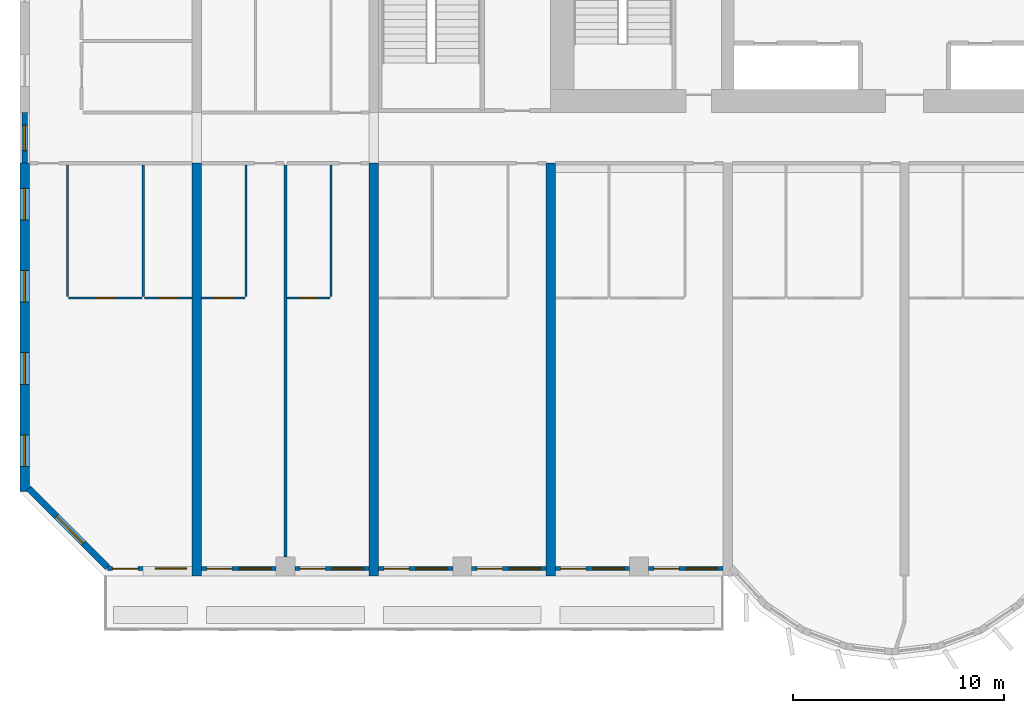
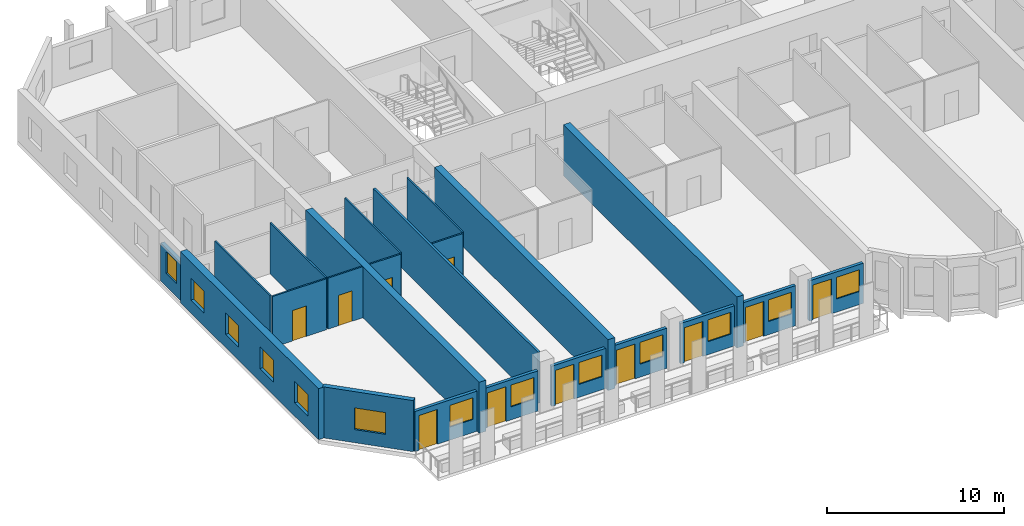
# One storey, part 2 of 15: 22 walls, 13 windows, 11 doors, 24 openings.
"""IFC4 building model written with IfcOpenShell, lengths in metres."""

from ifc_helpers import new_model, si_unit, direction, frame, frame_2d, origin, place, context, subcontext, project, spatial, rectangle, extrude, source, transform, mapped, material, layer, layer_set, type_object, element, fill, save


model = new_model("IFC4")

# Units and contexts
model_context = context("Model", 3, precision=1e-05, world=origin(), true_north=direction((0.0, 1.0)))
body_context = subcontext(model_context, "Body", "Model", "MODEL_VIEW")
ifc_project = project(units=[si_unit("LENGTHUNIT", "METRE"), si_unit("AREAUNIT", "SQUARE_METRE"), si_unit("VOLUMEUNIT", "CUBIC_METRE"), si_unit("PLANEANGLEUNIT", "RADIAN"), si_unit("MASSUNIT", "GRAM", prefix="KILO")], contexts=[model_context])

# Site, building, storey
site_placement = place(None, origin())
site = spatial("IfcSite", under=ifc_project, at=site_placement, CompositionType="ELEMENT")
building_placement = place(site_placement, origin())
building = spatial("IfcBuilding", under=site, at=building_placement, Name="Vanashikhar Sky Hotel", CompositionType="ELEMENT")
storey_placement = place(building_placement, frame((0.0, 0.0, 39.199951171875)))
storey = spatial("IfcBuildingStorey", under=building, at=storey_placement, Name="L08", CompositionType="ELEMENT", Elevation=39.199951171875)

# Wall, openings, windows
ifc_material_1 = material(Name="Concrete M80", Category="concrete")
ifc_layer_1 = layer(ifc_material_1, 0.449951171875)
ifc_layer_set_1 = layer_set([ifc_layer_1], Name="RC shear wall 450 Concrete M80")
wall_type_1 = type_object("IfcWallType", Name="RC shear wall 450 Concrete M80", PredefinedType="SHEAR", material=ifc_layer_set_1)
shared_shape_1 = source(origin(), body_context, "Body", "SweptSolid", [
    extrude(rectangle(XDim=15.60009765625, YDim=0.449951171875, at=frame_2d((7.800048828125, 0.0))), origin(), (0.0, 0.0, 1.0), 3.52001953125),
])
wall_1_placement = place(storey_placement, frame((0.22509765625, 4.0, 0.0), z_axis=(0.0, 0.0, 1.0), x_axis=(0.0, 1.0, 0.0)))
wall_1 = element("IfcWall", 1, at=wall_1_placement, inside=storey, type_object=wall_type_1, Name="CW-L08-XW01-1", PredefinedType="SHEAR", context=body_context, shape_type="MappedRepresentation", body=[
    mapped(shared_shape_1, transform((0.0, 0.0, 0.0), scale=1.0)),
])
shared_shape_2 = source(origin(), body_context, "Body", "SweptSolid", [
    extrude(rectangle(XDim=1.5, YDim=1.5, at=frame_2d((0.75, 0.75))), frame((0.0, 0.23486328125, 0.0), z_axis=(0.0, -1.0, 0.0), x_axis=(1.0, 0.0, 0.0)), (0.0, 0.0, 1.0), 0.469970703125),
])
opening_1_placement = place(wall_1_placement, frame((1.199951171875, 0.0, 0.89990234375)))
opening_1 = element("IfcOpeningElement", 2, at=opening_1_placement, cuts=wall_1, Name="Opening WN-1", PredefinedType="OPENING", context=body_context, shape_type="MappedRepresentation", body=[
    mapped(shared_shape_2, transform((0.0, 0.0, 0.0), scale=1.0)),
])
opening_2_placement = place(wall_1_placement, frame((5.10009765625, 0.0, 0.89990234375)))
opening_2 = element("IfcOpeningElement", 3, at=opening_2_placement, cuts=wall_1, Name="Opening WN-1", PredefinedType="OPENING", context=body_context, shape_type="MappedRepresentation", body=[
    mapped(shared_shape_2, transform((0.0, 0.0, 0.0), scale=1.0)),
])
opening_3_placement = place(wall_1_placement, frame((9.0, 0.0, 0.89990234375)))
opening_3 = element("IfcOpeningElement", 4, at=opening_3_placement, cuts=wall_1, Name="Opening WN-1", PredefinedType="OPENING", context=body_context, shape_type="MappedRepresentation", body=[
    mapped(shared_shape_2, transform((0.0, 0.0, 0.0), scale=1.0)),
])
opening_4_placement = place(wall_1_placement, frame((12.89990234375, 0.0, 0.89990234375)))
opening_4 = element("IfcOpeningElement", 5, at=opening_4_placement, cuts=wall_1, Name="Opening WN-1", PredefinedType="OPENING", context=body_context, shape_type="MappedRepresentation", body=[
    mapped(shared_shape_2, transform((0.0, 0.0, 0.0), scale=1.0)),
])
ifc_material_2 = material(Name="Glass", Category="glass")
window_type_1 = type_object("IfcWindowType", Name="Window 1500 x 1500", PartitioningType="SINGLE_PANEL", PredefinedType="WINDOW", material=ifc_material_2)
shared_shape_3 = source(origin(), body_context, "Body", "SweptSolid", [
    extrude(rectangle(XDim=1.5, YDim=1.5, at=frame_2d((0.75, 0.75))), frame((0.0, 0.030029296875, 0.0), z_axis=(0.0, -1.0, 0.0), x_axis=(1.0, 0.0, 0.0)), (0.0, 0.0, 1.0), 0.06005859375),
])
window_1_placement = place(opening_1_placement, origin())
window_1 = element("IfcWindow", 6, at=window_1_placement, inside=storey, type_object=window_type_1, Name="Window WN-1", OverallHeight=1.5, OverallWidth=1.5, PartitioningType="SINGLE_PANEL", PredefinedType="WINDOW", context=body_context, shape_type="MappedRepresentation", body=[
    mapped(shared_shape_3, transform((0.0, 0.0, 0.0), scale=1.0)),
])
fill(opening_1, window_1)
window_2_placement = place(opening_2_placement, origin())
window_2 = element("IfcWindow", 7, at=window_2_placement, inside=storey, type_object=window_type_1, Name="Window WN-1", OverallHeight=1.5, OverallWidth=1.5, PartitioningType="SINGLE_PANEL", PredefinedType="WINDOW", context=body_context, shape_type="MappedRepresentation", body=[
    mapped(shared_shape_3, transform((0.0, 0.0, 0.0), scale=1.0)),
])
fill(opening_2, window_2)
window_3_placement = place(opening_3_placement, origin())
window_3 = element("IfcWindow", 8, at=window_3_placement, inside=storey, type_object=window_type_1, Name="Window WN-1", OverallHeight=1.5, OverallWidth=1.5, PartitioningType="SINGLE_PANEL", PredefinedType="WINDOW", context=body_context, shape_type="MappedRepresentation", body=[
    mapped(shared_shape_3, transform((0.0, 0.0, 0.0), scale=1.0)),
])
fill(opening_3, window_3)
window_4_placement = place(opening_4_placement, origin())
window_4 = element("IfcWindow", 9, at=window_4_placement, inside=storey, type_object=window_type_1, Name="Window WN-1", OverallHeight=1.5, OverallWidth=1.5, PartitioningType="SINGLE_PANEL", PredefinedType="WINDOW", context=body_context, shape_type="MappedRepresentation", body=[
    mapped(shared_shape_3, transform((0.0, 0.0, 0.0), scale=1.0)),
])
fill(opening_4, window_4)

# Walls
shared_shape_4 = source(origin(), body_context, "Body", "SweptSolid", [
    extrude(rectangle(XDim=19.60009765625, YDim=0.449951171875, at=frame_2d((9.800048828125, 0.0))), origin(), (0.0, 0.0, 1.0), 3.52001953125),
])
for number, where, z_axis, x_axis, name in (
    (10, (8.39990234375, 0.0, 0.0), (0.0, 0.0, 1.0), (0.0, 1.0, 0.0), "CW-L08-XW02-1"),
    (11, (16.800048828125, 0.0, 0.0), (0.0, 0.0, 1.0), (0.0, 1.0, 0.0), "CW-L08-XW03-1"),
    (12, (25.199951171875, 0.0, 0.0), (0.0, 0.0, 1.0), (0.0, 1.0, 0.0), "CW-L08-XW04-1"),
):
    element("IfcWall", number, at=place(storey_placement, frame(where, z_axis=z_axis, x_axis=x_axis)), inside=storey, type_object=wall_type_1, Name=name, PredefinedType="SHEAR", context=body_context, shape_type="MappedRepresentation", body=[
        mapped(shared_shape_4, transform((0.0, 0.0, 0.0), scale=1.0)),
    ])

# Wall, openings, window, door
ifc_material_3 = material(Name="Concrete M50", Category="concrete")
ifc_layer_2 = layer(ifc_material_3, 0.199951171875)
ifc_layer_set_2 = layer_set([ifc_layer_2], Name="Front window wall 200")
wall_type_2 = type_object("IfcWallType", Name="Front window wall 200", PredefinedType="SOLIDWALL", material=ifc_layer_set_2)
shared_shape_5 = source(origin(), body_context, "Body", "SweptSolid", [
    extrude(rectangle(XDim=4.030029296875, YDim=0.199951171875, at=frame_2d((2.01513671875, 0.0))), origin(), (0.0, 0.0, 1.0), 2.77001953125),
])
wall_2_placement = place(storey_placement, frame((4.14501953125, 0.35009765625, 0.0), z_axis=(0.0, 0.0, 1.0), x_axis=(1.0, 0.0, 0.0)))
wall_2 = element("IfcWall", 13, at=wall_2_placement, inside=storey, type_object=wall_type_2, Name="Front window wall", PredefinedType="SOLIDWALL", context=body_context, shape_type="MappedRepresentation", body=[
    mapped(shared_shape_5, transform((0.0, 0.0, 0.0), scale=1.0)),
])
shared_shape_6 = source(origin(), body_context, "Body", "SweptSolid", [
    extrude(rectangle(XDim=1.199951171875, YDim=2.39990234375, at=frame_2d((0.60009765625, 1.199951171875))), frame((0.0, 0.10986328125, 0.0), z_axis=(0.0, -1.0, 0.0), x_axis=(1.0, 0.0, 0.0)), (0.0, 0.0, 1.0), 0.219970703125),
])
opening_5_placement = place(wall_2_placement, frame((0.25, 0.0, 0.0)))
opening_5 = element("IfcOpeningElement", 14, at=opening_5_placement, cuts=wall_2, Name="Opening BD-01", PredefinedType="OPENING", context=body_context, shape_type="MappedRepresentation", body=[
    mapped(shared_shape_6, transform((0.0, 0.0, 0.0), scale=1.0)),
])
shared_shape_7 = source(origin(), body_context, "Body", "SweptSolid", [
    extrude(rectangle(XDim=1.5, YDim=1.5, at=frame_2d((0.75, 0.75))), frame((0.0, 0.10986328125, 0.0), z_axis=(0.0, -1.0, 0.0), x_axis=(1.0, 0.0, 0.0)), (0.0, 0.0, 1.0), 0.219970703125),
])
opening_6_placement = place(wall_2_placement, frame((2.280029296875, 0.0, 0.89990234375)))
opening_6 = element("IfcOpeningElement", 15, at=opening_6_placement, cuts=wall_2, Name="Opening WN-1", PredefinedType="OPENING", context=body_context, shape_type="MappedRepresentation", body=[
    mapped(shared_shape_7, transform((0.0, 0.0, 0.0), scale=1.0)),
])
window_5_placement = place(opening_6_placement, origin())
window_5 = element("IfcWindow", 16, at=window_5_placement, inside=storey, type_object=window_type_1, Name="Window WN-1", OverallHeight=1.5, OverallWidth=1.5, PartitioningType="SINGLE_PANEL", PredefinedType="WINDOW", context=body_context, shape_type="MappedRepresentation", body=[
    mapped(shared_shape_3, transform((0.0, 0.0, 0.0), scale=1.0)),
])
fill(opening_6, window_5)
ifc_material_4 = material(Name="Aluminium", Category="aluminium")
door_type_1 = type_object("IfcDoorType", Name="Balcony sliding door 1200 x 2400", OperationType="NOTDEFINED", PredefinedType="DOOR", material=ifc_material_4)
shared_shape_8 = source(origin(), body_context, "Body", "SweptSolid", [
    extrude(rectangle(XDim=1.199951171875, YDim=2.39990234375, at=frame_2d((0.60009765625, 1.199951171875))), frame((0.0, 0.02490234375, 0.0), z_axis=(0.0, -1.0, 0.0), x_axis=(1.0, 0.0, 0.0)), (0.0, 0.0, 1.0), 0.050048828125),
])
door_1_placement = place(opening_5_placement, origin())
door_1 = element("IfcDoor", 17, at=door_1_placement, inside=storey, type_object=door_type_1, Name="Balcony sliding door", OperationType="SLIDING_TO_LEFT", OverallHeight=2.39990234375, OverallWidth=1.199951171875, PredefinedType="DOOR", context=body_context, shape_type="MappedRepresentation", body=[
    mapped(shared_shape_8, transform((0.0, 0.0, 0.0), scale=1.0)),
])
fill(opening_5, door_1)

shared_shape_9 = source(origin(), body_context, "Body", "SweptSolid", [
    extrude(rectangle(XDim=3.52490234375, YDim=0.199951171875, at=frame_2d((1.762451171875, 0.0))), origin(), (0.0, 0.0, 1.0), 2.77001953125),
])
wall_3_placement = place(storey_placement, frame((8.625, 0.35009765625, 0.0), z_axis=(0.0, 0.0, 1.0), x_axis=(1.0, 0.0, 0.0)))
wall_3 = element("IfcWall", 18, at=wall_3_placement, inside=storey, type_object=wall_type_2, Name="Front window wall", PredefinedType="SOLIDWALL", context=body_context, shape_type="MappedRepresentation", body=[
    mapped(shared_shape_9, transform((0.0, 0.0, 0.0), scale=1.0)),
])
opening_7_placement = place(wall_3_placement, frame((0.25, 0.0, 0.0)))
opening_7 = element("IfcOpeningElement", 19, at=opening_7_placement, cuts=wall_3, Name="Opening BD-02", PredefinedType="OPENING", context=body_context, shape_type="MappedRepresentation", body=[
    mapped(shared_shape_6, transform((0.0, 0.0, 0.0), scale=1.0)),
])
opening_8_placement = place(wall_3_placement, frame((1.77490234375, 0.0, 0.89990234375)))
opening_8 = element("IfcOpeningElement", 20, at=opening_8_placement, cuts=wall_3, Name="Opening WN-1", PredefinedType="OPENING", context=body_context, shape_type="MappedRepresentation", body=[
    mapped(shared_shape_7, transform((0.0, 0.0, 0.0), scale=1.0)),
])
window_6_placement = place(opening_8_placement, origin())
window_6 = element("IfcWindow", 21, at=window_6_placement, inside=storey, type_object=window_type_1, Name="Window WN-1", OverallHeight=1.5, OverallWidth=1.5, PartitioningType="SINGLE_PANEL", PredefinedType="WINDOW", context=body_context, shape_type="MappedRepresentation", body=[
    mapped(shared_shape_3, transform((0.0, 0.0, 0.0), scale=1.0)),
])
fill(opening_8, window_6)
door_2_placement = place(opening_7_placement, origin())
door_2 = element("IfcDoor", 22, at=door_2_placement, inside=storey, type_object=door_type_1, Name="Balcony sliding door", OperationType="SLIDING_TO_RIGHT", OverallHeight=2.39990234375, OverallWidth=1.199951171875, PredefinedType="DOOR", context=body_context, shape_type="MappedRepresentation", body=[
    mapped(shared_shape_8, transform((0.0, 0.0, 0.0), scale=1.0)),
])
fill(opening_7, door_2)

wall_4_placement = place(storey_placement, frame((13.050048828125, 0.35009765625, 0.0), z_axis=(0.0, 0.0, 1.0), x_axis=(1.0, 0.0, 0.0)))
wall_4 = element("IfcWall", 23, at=wall_4_placement, inside=storey, type_object=wall_type_2, Name="Front window wall", PredefinedType="SOLIDWALL", context=body_context, shape_type="MappedRepresentation", body=[
    mapped(shared_shape_9, transform((0.0, 0.0, 0.0), scale=1.0)),
])
opening_9_placement = place(wall_4_placement, frame((0.25, 0.0, 0.0)))
opening_9 = element("IfcOpeningElement", 24, at=opening_9_placement, cuts=wall_4, Name="Opening BD-03", PredefinedType="OPENING", context=body_context, shape_type="MappedRepresentation", body=[
    mapped(shared_shape_6, transform((0.0, 0.0, 0.0), scale=1.0)),
])
opening_10_placement = place(wall_4_placement, frame((1.77490234375, 0.0, 0.89990234375)))
opening_10 = element("IfcOpeningElement", 25, at=opening_10_placement, cuts=wall_4, Name="Opening WN-1", PredefinedType="OPENING", context=body_context, shape_type="MappedRepresentation", body=[
    mapped(shared_shape_7, transform((0.0, 0.0, 0.0), scale=1.0)),
])
window_7_placement = place(opening_10_placement, origin())
window_7 = element("IfcWindow", 26, at=window_7_placement, inside=storey, type_object=window_type_1, Name="Window WN-1", OverallHeight=1.5, OverallWidth=1.5, PartitioningType="SINGLE_PANEL", PredefinedType="WINDOW", context=body_context, shape_type="MappedRepresentation", body=[
    mapped(shared_shape_3, transform((0.0, 0.0, 0.0), scale=1.0)),
])
fill(opening_10, window_7)
door_3_placement = place(opening_9_placement, origin())
door_3 = element("IfcDoor", 27, at=door_3_placement, inside=storey, type_object=door_type_1, Name="Balcony sliding door", OperationType="SLIDING_TO_LEFT", OverallHeight=2.39990234375, OverallWidth=1.199951171875, PredefinedType="DOOR", context=body_context, shape_type="MappedRepresentation", body=[
    mapped(shared_shape_8, transform((0.0, 0.0, 0.0), scale=1.0)),
])
fill(opening_9, door_3)

wall_5_placement = place(storey_placement, frame((25.425048828125, 0.35009765625, 0.0), z_axis=(0.0, 0.0, 1.0), x_axis=(1.0, 0.0, 0.0)))
wall_5 = element("IfcWall", 28, at=wall_5_placement, inside=storey, type_object=wall_type_2, Name="Front window wall", PredefinedType="SOLIDWALL", context=body_context, shape_type="MappedRepresentation", body=[
    mapped(shared_shape_9, transform((0.0, 0.0, 0.0), scale=1.0)),
])
opening_11_placement = place(wall_5_placement, frame((0.25, 0.0, 0.0)))
opening_11 = element("IfcOpeningElement", 29, at=opening_11_placement, cuts=wall_5, Name="Opening BD-06", PredefinedType="OPENING", context=body_context, shape_type="MappedRepresentation", body=[
    mapped(shared_shape_6, transform((0.0, 0.0, 0.0), scale=1.0)),
])
opening_12_placement = place(wall_5_placement, frame((1.77490234375, 0.0, 0.89990234375)))
opening_12 = element("IfcOpeningElement", 30, at=opening_12_placement, cuts=wall_5, Name="Opening WN-1", PredefinedType="OPENING", context=body_context, shape_type="MappedRepresentation", body=[
    mapped(shared_shape_7, transform((0.0, 0.0, 0.0), scale=1.0)),
])
window_8_placement = place(opening_12_placement, origin())
window_8 = element("IfcWindow", 31, at=window_8_placement, inside=storey, type_object=window_type_1, Name="Window WN-1", OverallHeight=1.5, OverallWidth=1.5, PartitioningType="SINGLE_PANEL", PredefinedType="WINDOW", context=body_context, shape_type="MappedRepresentation", body=[
    mapped(shared_shape_3, transform((0.0, 0.0, 0.0), scale=1.0)),
])
fill(opening_12, window_8)
door_4_placement = place(opening_11_placement, origin())
door_4 = element("IfcDoor", 32, at=door_4_placement, inside=storey, type_object=door_type_1, Name="Balcony sliding door", OperationType="SLIDING_TO_RIGHT", OverallHeight=2.39990234375, OverallWidth=1.199951171875, PredefinedType="DOOR", context=body_context, shape_type="MappedRepresentation", body=[
    mapped(shared_shape_8, transform((0.0, 0.0, 0.0), scale=1.0)),
])
fill(opening_11, door_4)

wall_6_placement = place(storey_placement, frame((29.85009765625, 0.35009765625, 0.0), z_axis=(0.0, 0.0, 1.0), x_axis=(1.0, 0.0, 0.0)))
wall_6 = element("IfcWall", 33, at=wall_6_placement, inside=storey, type_object=wall_type_2, Name="Front window wall", PredefinedType="SOLIDWALL", context=body_context, shape_type="MappedRepresentation", body=[
    mapped(shared_shape_9, transform((0.0, 0.0, 0.0), scale=1.0)),
])
opening_13_placement = place(wall_6_placement, frame((0.25, 0.0, 0.0)))
opening_13 = element("IfcOpeningElement", 34, at=opening_13_placement, cuts=wall_6, Name="Opening BD-07", PredefinedType="OPENING", context=body_context, shape_type="MappedRepresentation", body=[
    mapped(shared_shape_6, transform((0.0, 0.0, 0.0), scale=1.0)),
])
opening_14_placement = place(wall_6_placement, frame((1.77490234375, 0.0, 0.89990234375)))
opening_14 = element("IfcOpeningElement", 35, at=opening_14_placement, cuts=wall_6, Name="Opening WN-1", PredefinedType="OPENING", context=body_context, shape_type="MappedRepresentation", body=[
    mapped(shared_shape_7, transform((0.0, 0.0, 0.0), scale=1.0)),
])
window_9_placement = place(opening_14_placement, origin())
window_9 = element("IfcWindow", 36, at=window_9_placement, inside=storey, type_object=window_type_1, Name="Window WN-1", OverallHeight=1.5, OverallWidth=1.5, PartitioningType="SINGLE_PANEL", PredefinedType="WINDOW", context=body_context, shape_type="MappedRepresentation", body=[
    mapped(shared_shape_3, transform((0.0, 0.0, 0.0), scale=1.0)),
])
fill(opening_14, window_9)
door_5_placement = place(opening_13_placement, origin())
door_5 = element("IfcDoor", 37, at=door_5_placement, inside=storey, type_object=door_type_1, Name="Balcony sliding door", OperationType="SLIDING_TO_LEFT", OverallHeight=2.39990234375, OverallWidth=1.199951171875, PredefinedType="DOOR", context=body_context, shape_type="MappedRepresentation", body=[
    mapped(shared_shape_8, transform((0.0, 0.0, 0.0), scale=1.0)),
])
fill(opening_13, door_5)

shared_shape_10 = source(origin(), body_context, "Body", "SweptSolid", [
    extrude(rectangle(XDim=3.525146484375, YDim=0.199951171875, at=frame_2d((1.7626953125, 0.0))), origin(), (0.0, 0.0, 1.0), 2.77001953125),
])
wall_7_placement = place(storey_placement, frame((17.02490234375, 0.35009765625, 0.0), z_axis=(0.0, 0.0, 1.0), x_axis=(1.0, 0.0, 0.0)))
wall_7 = element("IfcWall", 38, at=wall_7_placement, inside=storey, type_object=wall_type_2, Name="Front window wall", PredefinedType="SOLIDWALL", context=body_context, shape_type="MappedRepresentation", body=[
    mapped(shared_shape_10, transform((0.0, 0.0, 0.0), scale=1.0)),
])
opening_15_placement = place(wall_7_placement, frame((0.25, 0.0, 0.0)))
opening_15 = element("IfcOpeningElement", 39, at=opening_15_placement, cuts=wall_7, Name="Opening BD-04", PredefinedType="OPENING", context=body_context, shape_type="MappedRepresentation", body=[
    mapped(shared_shape_6, transform((0.0, 0.0, 0.0), scale=1.0)),
])
opening_16_placement = place(wall_7_placement, frame((1.77490234375, 0.0, 0.89990234375)))
opening_16 = element("IfcOpeningElement", 40, at=opening_16_placement, cuts=wall_7, Name="Opening WN-1", PredefinedType="OPENING", context=body_context, shape_type="MappedRepresentation", body=[
    mapped(shared_shape_7, transform((0.0, 0.0, 0.0), scale=1.0)),
])
window_10_placement = place(opening_16_placement, origin())
window_10 = element("IfcWindow", 41, at=window_10_placement, inside=storey, type_object=window_type_1, Name="Window WN-1", OverallHeight=1.5, OverallWidth=1.5, PartitioningType="SINGLE_PANEL", PredefinedType="WINDOW", context=body_context, shape_type="MappedRepresentation", body=[
    mapped(shared_shape_3, transform((0.0, 0.0, 0.0), scale=1.0)),
])
fill(opening_16, window_10)
door_6_placement = place(opening_15_placement, origin())
door_6 = element("IfcDoor", 42, at=door_6_placement, inside=storey, type_object=door_type_1, Name="Balcony sliding door", OperationType="SLIDING_TO_RIGHT", OverallHeight=2.39990234375, OverallWidth=1.199951171875, PredefinedType="DOOR", context=body_context, shape_type="MappedRepresentation", body=[
    mapped(shared_shape_8, transform((0.0, 0.0, 0.0), scale=1.0)),
])
fill(opening_15, door_6)

wall_8_placement = place(storey_placement, frame((21.449951171875, 0.35009765625, 0.0), z_axis=(0.0, 0.0, 1.0), x_axis=(1.0, 0.0, 0.0)))
wall_8 = element("IfcWall", 43, at=wall_8_placement, inside=storey, type_object=wall_type_2, Name="Front window wall", PredefinedType="SOLIDWALL", context=body_context, shape_type="MappedRepresentation", body=[
    mapped(shared_shape_10, transform((0.0, 0.0, 0.0), scale=1.0)),
])
opening_17_placement = place(wall_8_placement, frame((0.25, 0.0, 0.0)))
opening_17 = element("IfcOpeningElement", 44, at=opening_17_placement, cuts=wall_8, Name="Opening BD-05", PredefinedType="OPENING", context=body_context, shape_type="MappedRepresentation", body=[
    mapped(shared_shape_6, transform((0.0, 0.0, 0.0), scale=1.0)),
])
opening_18_placement = place(wall_8_placement, frame((1.77490234375, 0.0, 0.89990234375)))
opening_18 = element("IfcOpeningElement", 45, at=opening_18_placement, cuts=wall_8, Name="Opening WN-1", PredefinedType="OPENING", context=body_context, shape_type="MappedRepresentation", body=[
    mapped(shared_shape_7, transform((0.0, 0.0, 0.0), scale=1.0)),
])
window_11_placement = place(opening_18_placement, origin())
window_11 = element("IfcWindow", 46, at=window_11_placement, inside=storey, type_object=window_type_1, Name="Window WN-1", OverallHeight=1.5, OverallWidth=1.5, PartitioningType="SINGLE_PANEL", PredefinedType="WINDOW", context=body_context, shape_type="MappedRepresentation", body=[
    mapped(shared_shape_3, transform((0.0, 0.0, 0.0), scale=1.0)),
])
fill(opening_18, window_11)
door_7_placement = place(opening_17_placement, origin())
door_7 = element("IfcDoor", 47, at=door_7_placement, inside=storey, type_object=door_type_1, Name="Balcony sliding door", OperationType="SLIDING_TO_LEFT", OverallHeight=2.39990234375, OverallWidth=1.199951171875, PredefinedType="DOOR", context=body_context, shape_type="MappedRepresentation", body=[
    mapped(shared_shape_8, transform((0.0, 0.0, 0.0), scale=1.0)),
])
fill(opening_17, door_7)

# Wall, opening, window
ifc_layer_3 = layer(ifc_material_3, 0.300048828125)
ifc_layer_set_3 = layer_set([ifc_layer_3], Name="Lobe wall 300")
wall_type_3 = type_object("IfcWallType", Name="Lobe wall 300", PredefinedType="SOLIDWALL", material=ifc_layer_set_3)
shared_shape_11 = source(origin(), body_context, "Body", "SweptSolid", [
    extrude(rectangle(XDim=5.32568359375, YDim=0.300048828125, at=frame_2d((2.662841796875, 0.0))), origin(), (0.0, 0.0, 1.0), 3.52001953125),
])
wall_9_placement = place(storey_placement, frame((0.39990234375, 4.165771484375, 0.0), z_axis=(0.0, 0.0, 1.0), x_axis=(0.707106781187, -0.707106781187, 0.0)))
wall_9 = element("IfcWall", 48, at=wall_9_placement, inside=storey, type_object=wall_type_3, Name="Corner wall", PredefinedType="SOLIDWALL", context=body_context, shape_type="MappedRepresentation", body=[
    mapped(shared_shape_11, transform((0.0, 0.0, 0.0), scale=1.0)),
])
shared_shape_12 = source(origin(), body_context, "Body", "SweptSolid", [
    extrude(rectangle(XDim=1.800048828125, YDim=1.5, at=frame_2d((0.89990234375, 0.75))), frame((0.0, 0.16015625, 0.0), z_axis=(0.0, -1.0, 0.0), x_axis=(1.0, 0.0, 0.0)), (0.0, 0.0, 1.0), 0.320068359375),
])
opening_19_placement = place(wall_9_placement, frame((1.888916015625, 0.0, 0.89990234375)))
opening_19 = element("IfcOpeningElement", 49, at=opening_19_placement, cuts=wall_9, Name="Opening WN-4", PredefinedType="OPENING", context=body_context, shape_type="MappedRepresentation", body=[
    mapped(shared_shape_12, transform((0.0, 0.0, 0.0), scale=1.0)),
])
window_type_2 = type_object("IfcWindowType", Name="Corner window 1800 x 1500", PartitioningType="SINGLE_PANEL", PredefinedType="WINDOW", material=ifc_material_2)
shared_shape_13 = source(origin(), body_context, "Body", "SweptSolid", [
    extrude(rectangle(XDim=1.800048828125, YDim=1.5, at=frame_2d((0.89990234375, 0.75))), frame((0.0, 0.030029296875, 0.0), z_axis=(0.0, -1.0, 0.0), x_axis=(1.0, 0.0, 0.0)), (0.0, 0.0, 1.0), 0.06005859375),
])
window_12_placement = place(opening_19_placement, origin())
window_12 = element("IfcWindow", 50, at=window_12_placement, inside=storey, type_object=window_type_2, Name="Window WN-4", OverallHeight=1.5, OverallWidth=1.800048828125, PartitioningType="SINGLE_PANEL", PredefinedType="WINDOW", context=body_context, shape_type="MappedRepresentation", body=[
    mapped(shared_shape_13, transform((0.0, 0.0, 0.0), scale=1.0)),
])
fill(opening_19, window_12)

ifc_layer_4 = layer(ifc_material_3, 0.25)
ifc_layer_set_4 = layer_set([ifc_layer_4], Name="Rear and end board-marked wall 250")
wall_type_4 = type_object("IfcWallType", Name="Rear and end board-marked wall 250", PredefinedType="SOLIDWALL", material=ifc_layer_set_4)
shared_shape_14 = source(origin(), body_context, "Body", "SweptSolid", [
    extrude(rectangle(XDim=2.39990234375, YDim=0.25, at=frame_2d((1.199951171875, 0.0))), origin(), (0.0, 0.0, 1.0), 2.6201171875),
])
wall_10_placement = place(storey_placement, frame((0.22509765625, 19.60009765625, 0.0), z_axis=(0.0, 0.0, 1.0), x_axis=(0.0, 1.0, 0.0)))
wall_10 = element("IfcWall", 51, at=wall_10_placement, inside=storey, type_object=wall_type_4, Name="End corridor infill wall", PredefinedType="SOLIDWALL", context=body_context, shape_type="MappedRepresentation", body=[
    mapped(shared_shape_14, transform((0.0, 0.0, 0.0), scale=1.0)),
])
shared_shape_15 = source(origin(), body_context, "Body", "SweptSolid", [
    extrude(rectangle(XDim=1.199951171875, YDim=1.5, at=frame_2d((0.60009765625, 0.75))), frame((0.0, 0.135009765625, 0.0), z_axis=(0.0, -1.0, 0.0), x_axis=(1.0, 0.0, 0.0)), (0.0, 0.0, 1.0), 0.27001953125),
])
opening_20_placement = place(wall_10_placement, frame((0.60009765625, 0.0, 0.89990234375)))
opening_20 = element("IfcOpeningElement", 52, at=opening_20_placement, cuts=wall_10, Name="Opening WN-3", PredefinedType="OPENING", context=body_context, shape_type="MappedRepresentation", body=[
    mapped(shared_shape_15, transform((0.0, 0.0, 0.0), scale=1.0)),
])
window_type_3 = type_object("IfcWindowType", Name="Corridor end window 1200 x 1500", PartitioningType="SINGLE_PANEL", PredefinedType="WINDOW", material=ifc_material_2)
shared_shape_16 = source(origin(), body_context, "Body", "SweptSolid", [
    extrude(rectangle(XDim=1.199951171875, YDim=1.5, at=frame_2d((0.60009765625, 0.75))), frame((0.0, 0.030029296875, 0.0), z_axis=(0.0, -1.0, 0.0), x_axis=(1.0, 0.0, 0.0)), (0.0, 0.0, 1.0), 0.06005859375),
])
window_13_placement = place(opening_20_placement, origin())
window_13 = element("IfcWindow", 53, at=window_13_placement, inside=storey, type_object=window_type_3, Name="Window WN-3", OverallHeight=1.5, OverallWidth=1.199951171875, PartitioningType="SINGLE_PANEL", PredefinedType="WINDOW", context=body_context, shape_type="MappedRepresentation", body=[
    mapped(shared_shape_16, transform((0.0, 0.0, 0.0), scale=1.0)),
])
fill(opening_20, window_13)

# Wall, opening, door
ifc_material_5 = material(Name="Gypsum plasterboard partition")
ifc_layer_5 = layer(ifc_material_5, 0.10009765625)
ifc_layer_set_5 = layer_set([ifc_layer_5], Name="Wet room partition 100")
wall_type_5 = type_object("IfcWallType", Name="Wet room partition 100", PredefinedType="PARTITIONING", material=ifc_layer_set_5)
shared_shape_17 = source(origin(), body_context, "Body", "SweptSolid", [
    extrude(rectangle(XDim=2.050048828125, YDim=0.10009765625, at=frame_2d((1.02490234375, 0.0))), origin(), (0.0, 0.0, 1.0), 3.52001953125),
])
wall_11_placement = place(storey_placement, frame((8.625, 13.199951171875, 0.0), z_axis=(0.0, 0.0, 1.0), x_axis=(1.0, 0.0, 0.0)))
wall_11 = element("IfcWall", 54, at=wall_11_placement, inside=storey, type_object=wall_type_5, Name="W-L08-PW007", PredefinedType="PARTITIONING", context=body_context, shape_type="MappedRepresentation", body=[
    mapped(shared_shape_17, transform((0.0, 0.0, 0.0), scale=1.0)),
])
shared_shape_18 = source(origin(), body_context, "Body", "SweptSolid", [
    extrude(rectangle(XDim=0.89990234375, YDim=2.10009765625, at=frame_2d((0.449951171875, 1.050048828125))), frame((0.0, 0.06005859375, 0.0), z_axis=(0.0, -1.0, 0.0), x_axis=(1.0, 0.0, 0.0)), (0.0, 0.0, 1.0), 0.1201171875),
])
opening_21_placement = place(wall_11_placement, frame((0.574951171875, 0.0, 0.0)))
opening_21 = element("IfcOpeningElement", 55, at=opening_21_placement, cuts=wall_11, Name="Opening D-02", PredefinedType="OPENING", context=body_context, shape_type="MappedRepresentation", body=[
    mapped(shared_shape_18, transform((0.0, 0.0, 0.0), scale=1.0)),
])
ifc_material_6 = material(Name="Timber door", Category="wood")
door_type_2 = type_object("IfcDoorType", Name="Internal door 900", OperationType="NOTDEFINED", PredefinedType="DOOR", material=ifc_material_6)
shared_shape_19 = source(origin(), body_context, "Body", "SweptSolid", [
    extrude(rectangle(XDim=0.89990234375, YDim=2.10009765625, at=frame_2d((0.449951171875, 1.050048828125))), frame((0.0, 0.02490234375, 0.0), z_axis=(0.0, -1.0, 0.0), x_axis=(1.0, 0.0, 0.0)), (0.0, 0.0, 1.0), 0.050048828125),
])
door_8_placement = place(opening_21_placement, origin())
door_8 = element("IfcDoor", 56, at=door_8_placement, inside=storey, type_object=door_type_2, Name="D-L08-004", OperationType="SINGLE_SWING_RIGHT", OverallHeight=2.10009765625, OverallWidth=0.89990234375, PredefinedType="DOOR", context=body_context, shape_type="MappedRepresentation", body=[
    mapped(shared_shape_19, transform((0.0, 0.0, 0.0), scale=1.0)),
])
fill(opening_21, door_8)

wall_12_placement = place(storey_placement, frame((12.675048828125, 13.199951171875, 0.0), z_axis=(0.0, 0.0, 1.0), x_axis=(1.0, 0.0, 0.0)))
wall_12 = element("IfcWall", 57, at=wall_12_placement, inside=storey, type_object=wall_type_5, Name="W-L08-PW010", PredefinedType="PARTITIONING", context=body_context, shape_type="MappedRepresentation", body=[
    mapped(shared_shape_17, transform((0.0, 0.0, 0.0), scale=1.0)),
])
opening_22_placement = place(wall_12_placement, frame((0.574951171875, 0.0, 0.0)))
opening_22 = element("IfcOpeningElement", 58, at=opening_22_placement, cuts=wall_12, Name="Opening D-02", PredefinedType="OPENING", context=body_context, shape_type="MappedRepresentation", body=[
    mapped(shared_shape_18, transform((0.0, 0.0, 0.0), scale=1.0)),
])
door_9_placement = place(opening_22_placement, origin())
door_9 = element("IfcDoor", 59, at=door_9_placement, inside=storey, type_object=door_type_2, Name="D-L08-006", OperationType="SINGLE_SWING_RIGHT", OverallHeight=2.10009765625, OverallWidth=0.89990234375, PredefinedType="DOOR", context=body_context, shape_type="MappedRepresentation", body=[
    mapped(shared_shape_19, transform((0.0, 0.0, 0.0), scale=1.0)),
])
fill(opening_22, door_9)

# Wall
ifc_layer_6 = layer(ifc_material_5, 0.14990234375)
ifc_layer_set_6 = layer_set([ifc_layer_6], Name="Corridor and demising partition 150")
wall_type_6 = type_object("IfcWallType", Name="Corridor and demising partition 150", PredefinedType="PARTITIONING", material=ifc_layer_set_6)
shared_shape_20 = source(origin(), body_context, "Body", "SweptSolid", [
    extrude(rectangle(XDim=18.625, YDim=0.14990234375, at=frame_2d((9.3125, 0.0))), origin(), (0.0, 0.0, 1.0), 3.52001953125),
])
wall_13_placement = place(storey_placement, frame((12.60009765625, 0.89990234375, 0.0), z_axis=(0.0, 0.0, 1.0), x_axis=(0.0, 1.0, 0.0)))
element("IfcWall", 60, at=wall_13_placement, inside=storey, type_object=wall_type_6, Name="W-L08-PW012", PredefinedType="PARTITIONING", context=body_context, shape_type="MappedRepresentation", body=[
    mapped(shared_shape_20, transform((0.0, 0.0, 0.0), scale=1.0)),
])

# Wall, opening, door
shared_shape_21 = source(origin(), body_context, "Body", "SweptSolid", [
    extrude(rectangle(XDim=3.5, YDim=0.10009765625, at=frame_2d((1.75, 0.0))), origin(), (0.0, 0.0, 1.0), 3.52001953125),
])
wall_14_placement = place(storey_placement, frame((2.300048828125, 13.199951171875, 0.0), z_axis=(0.0, 0.0, 1.0), x_axis=(1.0, 0.0, 0.0)))
wall_14 = element("IfcWall", 61, at=wall_14_placement, inside=storey, type_object=wall_type_5, Name="W-L08-PW003", PredefinedType="PARTITIONING", context=body_context, shape_type="MappedRepresentation", body=[
    mapped(shared_shape_21, transform((0.0, 0.0, 0.0), scale=1.0)),
])
opening_23_placement = place(wall_14_placement, frame((1.300048828125, 0.0, 0.0)))
opening_23 = element("IfcOpeningElement", 62, at=opening_23_placement, cuts=wall_14, Name="Opening D-02", PredefinedType="OPENING", context=body_context, shape_type="MappedRepresentation", body=[
    mapped(shared_shape_18, transform((0.0, 0.0, 0.0), scale=1.0)),
])
door_10_placement = place(opening_23_placement, origin())
door_10 = element("IfcDoor", 63, at=door_10_placement, inside=storey, type_object=door_type_2, Name="D-L08-001", OperationType="SINGLE_SWING_LEFT", OverallHeight=2.10009765625, OverallWidth=0.89990234375, PredefinedType="DOOR", context=body_context, shape_type="MappedRepresentation", body=[
    mapped(shared_shape_19, transform((0.0, 0.0, 0.0), scale=1.0)),
])
fill(opening_23, door_10)

# Walls
shared_shape_22 = source(origin(), body_context, "Body", "SweptSolid", [
    extrude(rectangle(XDim=6.25, YDim=0.10009765625, at=frame_2d((3.125, 0.0))), origin(), (0.0, 0.0, 1.0), 3.52001953125),
])
for number, where, z_axis, x_axis, name in (
    (64, (2.25, 13.27490234375, 0.0), (0.0, 0.0, 1.0), (0.0, 1.0, 0.0), "W-L08-PW001"),
    (65, (5.85009765625, 13.27490234375, 0.0), (0.0, 0.0, 1.0), (0.0, 1.0, 0.0), "W-L08-PW002"),
    (66, (10.72509765625, 13.27490234375, 0.0), (0.0, 0.0, 1.0), (0.0, 1.0, 0.0), "W-L08-PW006"),
    (67, (14.77490234375, 13.27490234375, 0.0), (0.0, 0.0, 1.0), (0.0, 1.0, 0.0), "W-L08-PW009"),
):
    element("IfcWall", number, at=place(storey_placement, frame(where, z_axis=z_axis, x_axis=x_axis)), inside=storey, type_object=wall_type_5, Name=name, PredefinedType="PARTITIONING", context=body_context, shape_type="MappedRepresentation", body=[
        mapped(shared_shape_22, transform((0.0, 0.0, 0.0), scale=1.0)),
    ])

# Wall, opening, door
shared_shape_23 = source(origin(), body_context, "Body", "SweptSolid", [
    extrude(rectangle(XDim=2.275146484375, YDim=0.10009765625, at=frame_2d((1.1376953125, 0.0))), origin(), (0.0, 0.0, 1.0), 3.52001953125),
])
wall_15_placement = place(storey_placement, frame((5.89990234375, 13.199951171875, 0.0), z_axis=(0.0, 0.0, 1.0), x_axis=(1.0, 0.0, 0.0)))
wall_15 = element("IfcWall", 68, at=wall_15_placement, inside=storey, type_object=wall_type_5, Name="W-L08-PW004", PredefinedType="PARTITIONING", context=body_context, shape_type="MappedRepresentation", body=[
    mapped(shared_shape_23, transform((0.0, 0.0, 0.0), scale=1.0)),
])
opening_24_placement = place(wall_15_placement, frame((0.68701171875, 0.0, 0.0)))
opening_24 = element("IfcOpeningElement", 69, at=opening_24_placement, cuts=wall_15, Name="Opening D-02", PredefinedType="OPENING", context=body_context, shape_type="MappedRepresentation", body=[
    mapped(shared_shape_18, transform((0.0, 0.0, 0.0), scale=1.0)),
])
door_11_placement = place(opening_24_placement, origin())
door_11 = element("IfcDoor", 70, at=door_11_placement, inside=storey, type_object=door_type_2, Name="D-L08-002", OperationType="SINGLE_SWING_LEFT", OverallHeight=2.10009765625, OverallWidth=0.89990234375, PredefinedType="DOOR", context=body_context, shape_type="MappedRepresentation", body=[
    mapped(shared_shape_19, transform((0.0, 0.0, 0.0), scale=1.0)),
])
fill(opening_24, door_11)

save(model, "model.ifc")
